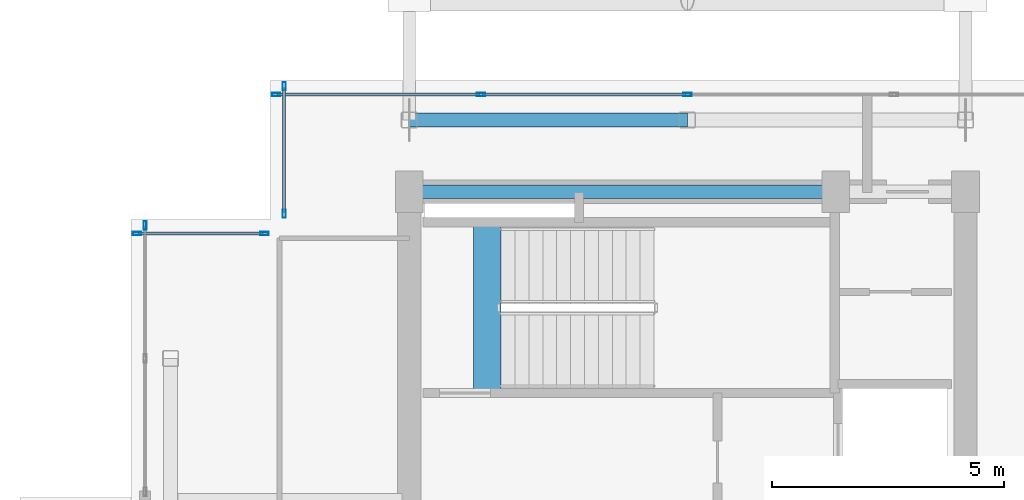
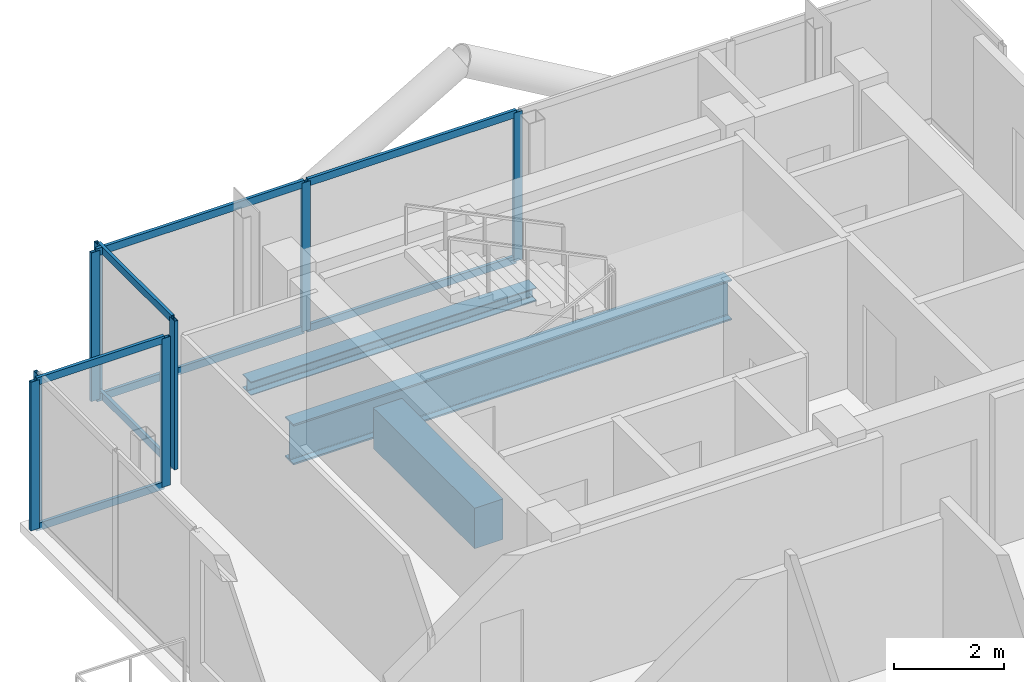
# One storey, part 8 of 18: 16 members, 3 beams, 4 elements without a shape of their own.
"""IFC4 building model written with IfcOpenShell, lengths in metres."""

from ifc_helpers import new_model, si_unit, direction, frame, origin, origin_2d, place, context, subcontext, project, spatial, rectangle, hollow_rectangle, i_section, extrude, material, layer, layer_set, material_profile, profile_set, type_object, element, aggregate, save


model = new_model("IFC4")

# Units and contexts
model_context = context("Model", 3, precision=1e-05, world=origin(), true_north=direction((0.0, 1.0)))
body_context = subcontext(model_context, "Body", "Model", "MODEL_VIEW")
ifc_project = project(units=[si_unit("LENGTHUNIT", "METRE"), si_unit("AREAUNIT", "SQUARE_METRE"), si_unit("VOLUMEUNIT", "CUBIC_METRE"), si_unit("PLANEANGLEUNIT", "RADIAN"), si_unit("MASSUNIT", "GRAM", prefix="KILO"), si_unit("THERMODYNAMICTEMPERATUREUNIT", "KELVIN"), si_unit("POWERUNIT", "WATT")], contexts=[model_context])

# Site, building, storey
site_placement = place(None, origin())
site = spatial("IfcSite", under=ifc_project, at=site_placement, CompositionType="ELEMENT")
building_placement = place(site_placement, origin())
building = spatial("IfcBuilding", under=site, at=building_placement, Name="Svarakhadi Broadcast Tower", CompositionType="ELEMENT")
storey_placement = place(building_placement, frame((0.0, 0.0, 250.199951171875)))
storey = spatial("IfcBuildingStorey", under=building, at=storey_placement, Name="L62", CompositionType="ELEMENT", Elevation=250.199951171875)

# Curtain wall, member
ifc_material_1 = material(Name="Anodised Bronze Aluminium AA 6063-T6", Category="aluminium")
ifc_layer = layer(ifc_material_1, 0.179931640625)
ifc_layer_set = layer_set([ifc_layer], Name="Anodised Bronze Aluminium AA 6063-T6")
curtain_wall_type = type_object("IfcCurtainWallType", Name="CW_Sys_05", PredefinedType="NOTDEFINED", material=ifc_layer_set)
curtain_wall_1_placement = place(storey_placement, origin())
curtain_wall_1 = element("IfcCurtainWall", 1, at=curtain_wall_1_placement, inside=storey, type_object=curtain_wall_type, Name="L62 West Curtain Wall 03", PredefinedType="NOTDEFINED")
ifc_material_profile_1 = material_profile(ifc_material_1, hollow_rectangle(XDim=0.070068359375, YDim=0.179931640625, WallThickness=0.005615234375, at=origin_2d()), Name="ALU MULLION 180x70x6")
ifc_profile_set_1 = profile_set([ifc_material_profile_1], Name="Anodised Bronze Aluminium AA 6063-T6")
member_type_1 = type_object("IfcMemberType", Name="CW_Sys_05_Mul", PredefinedType="MULLION", material=ifc_profile_set_1)
member_1_placement = place(storey_placement, frame((0.300048828125, 26.875, 0.0), z_axis=(0.0, 0.0, 1.0), x_axis=(-1.0, 0.0, 0.0)))
member_1 = element("IfcMember", 2, at=member_1_placement, type_object=member_type_1, Name="CW-05 mullion 3", PredefinedType="MULLION", context=body_context, shape_type="SweptSolid", body=[
    extrude(hollow_rectangle(XDim=0.070068359375, YDim=0.179931640625, WallThickness=0.005615234375, at=origin_2d()), origin(), (0.0, 0.0, 1.0), 3.300048828125),
])
aggregate(curtain_wall_1, [member_1])

# Curtain wall, members
curtain_wall_2_placement = place(storey_placement, origin())
curtain_wall_2 = element("IfcCurtainWall", 3, at=curtain_wall_2_placement, inside=storey, type_object=curtain_wall_type, Name="L62 Unitised Facade Curtain Wall 04", PredefinedType="NOTDEFINED")
member_2_placement = place(storey_placement, frame((0.125, 26.699951171875, 0.0), z_axis=(0.0, 0.0, 1.0), x_axis=(0.0, 1.0, 0.0)))
member_2 = element("IfcMember", 4, at=member_2_placement, type_object=member_type_1, Name="CW-05 mullion 1", PredefinedType="MULLION", context=body_context, shape_type="SweptSolid", body=[
    extrude(hollow_rectangle(XDim=0.070068359375, YDim=0.179931640625, WallThickness=0.005615234375, at=origin_2d()), origin(), (0.0, 0.0, 1.0), 3.300048828125),
])
member_3_placement = place(storey_placement, frame((2.875, 26.699951171875, 0.0), z_axis=(0.0, 0.0, 1.0), x_axis=(0.0, 1.0, 0.0)))
member_3 = element("IfcMember", 5, at=member_3_placement, type_object=member_type_1, Name="CW-05 mullion 2", PredefinedType="MULLION", context=body_context, shape_type="SweptSolid", body=[
    extrude(hollow_rectangle(XDim=0.070068359375, YDim=0.179931640625, WallThickness=0.005615234375, at=origin_2d()), origin(), (0.0, 0.0, 1.0), 3.300048828125),
])

curtain_wall_3_placement = place(storey_placement, origin())
curtain_wall_3 = element("IfcCurtainWall", 6, at=curtain_wall_3_placement, inside=storey, type_object=curtain_wall_type, Name="L62 Unitised Facade Curtain Wall 05", PredefinedType="NOTDEFINED")
member_4_placement = place(storey_placement, frame((3.300048828125, 27.125, 0.0), z_axis=(0.0, 0.0, 1.0), x_axis=(-1.0, 0.0, 0.0)))
member_4 = element("IfcMember", 7, at=member_4_placement, type_object=member_type_1, Name="CW-05 mullion 1", PredefinedType="MULLION", context=body_context, shape_type="SweptSolid", body=[
    extrude(hollow_rectangle(XDim=0.070068359375, YDim=0.179931640625, WallThickness=0.005615234375, at=origin_2d()), origin(), (0.0, 0.0, 1.0), 3.300048828125),
])
member_5_placement = place(storey_placement, frame((3.300048828125, 29.875, 0.0), z_axis=(0.0, 0.0, 1.0), x_axis=(-1.0, 0.0, 0.0)))
member_5 = element("IfcMember", 8, at=member_5_placement, type_object=member_type_1, Name="CW-05 mullion 2", PredefinedType="MULLION", context=body_context, shape_type="SweptSolid", body=[
    extrude(hollow_rectangle(XDim=0.070068359375, YDim=0.179931640625, WallThickness=0.005615234375, at=origin_2d()), origin(), (0.0, 0.0, 1.0), 3.300048828125),
])

curtain_wall_4_placement = place(storey_placement, origin())
curtain_wall_4 = element("IfcCurtainWall", 9, at=curtain_wall_4_placement, inside=storey, type_object=curtain_wall_type, Name="L62 Unitised Facade Curtain Wall 06", PredefinedType="NOTDEFINED")
member_6_placement = place(storey_placement, frame((3.125, 29.699951171875, 0.0), z_axis=(0.0, 0.0, 1.0), x_axis=(0.0, 1.0, 0.0)))
member_6 = element("IfcMember", 10, at=member_6_placement, type_object=member_type_1, Name="CW-05 mullion 1", PredefinedType="MULLION", context=body_context, shape_type="SweptSolid", body=[
    extrude(hollow_rectangle(XDim=0.070068359375, YDim=0.179931640625, WallThickness=0.005615234375, at=origin_2d()), origin(), (0.0, 0.0, 1.0), 3.300048828125),
])
member_7_placement = place(storey_placement, frame((7.544921875, 29.699951171875, 0.0), z_axis=(0.0, 0.0, 1.0), x_axis=(0.0, 1.0, 0.0)))
member_7 = element("IfcMember", 11, at=member_7_placement, type_object=member_type_1, Name="CW-05 mullion 2", PredefinedType="MULLION", context=body_context, shape_type="SweptSolid", body=[
    extrude(hollow_rectangle(XDim=0.070068359375, YDim=0.179931640625, WallThickness=0.005615234375, at=origin_2d()), origin(), (0.0, 0.0, 1.0), 3.300048828125),
])
member_8_placement = place(storey_placement, frame((12.0, 29.699951171875, 0.0), z_axis=(0.0, 0.0, 1.0), x_axis=(0.0, 1.0, 0.0)))
member_8 = element("IfcMember", 12, at=member_8_placement, type_object=member_type_1, Name="CW-05 mullion 3", PredefinedType="MULLION", context=body_context, shape_type="SweptSolid", body=[
    extrude(hollow_rectangle(XDim=0.070068359375, YDim=0.179931640625, WallThickness=0.005615234375, at=origin_2d()), origin(), (0.0, 0.0, 1.0), 3.300048828125),
])

# Member
ifc_material_profile_2 = material_profile(ifc_material_1, hollow_rectangle(XDim=0.06494140625, YDim=0.1650390625, WallThickness=0.0048828125, at=origin_2d()), Name="ALU TRANSOM 165x65x5")
ifc_profile_set_2 = profile_set([ifc_material_profile_2], Name="Anodised Bronze Aluminium AA 6063-T6")
member_type_2 = type_object("IfcMemberType", Name="CW_Sys_05_Trn", PredefinedType="USERDEFINED", material=ifc_profile_set_2)
member_9_placement = place(storey_placement, frame((0.159912109375, 26.699951171875, 0.032470703125), z_axis=(1.0, 0.0, 0.0), x_axis=(0.0, 1.0, 0.0)))
member_9 = element("IfcMember", 13, at=member_9_placement, type_object=member_type_2, Name="CW-05 transom 1.1", ObjectType="TRANSOM", PredefinedType="USERDEFINED", context=body_context, shape_type="SweptSolid", body=[
    extrude(hollow_rectangle(XDim=0.06494140625, YDim=0.1650390625, WallThickness=0.0048828125, at=origin_2d()), origin(), (0.0, 0.0, 1.0), 2.68017578125),
])

member_10_placement = place(storey_placement, frame((0.159912109375, 26.699951171875, 3.267578125), z_axis=(1.0, 0.0, 0.0), x_axis=(0.0, 1.0, 0.0)))
member_10 = element("IfcMember", 14, at=member_10_placement, type_object=member_type_2, Name="CW-05 transom 1.2", ObjectType="TRANSOM", PredefinedType="USERDEFINED", context=body_context, shape_type="SweptSolid", body=[
    extrude(hollow_rectangle(XDim=0.06494140625, YDim=0.1650390625, WallThickness=0.0048828125, at=origin_2d()), origin(), (0.0, 0.0, 1.0), 2.68017578125),
])

aggregate(curtain_wall_2, [member_2, member_3, member_9, member_10])

member_11_placement = place(storey_placement, frame((3.300048828125, 27.159912109375, 0.032470703125), z_axis=(0.0, 1.0, 0.0), x_axis=(-1.0, 0.0, 0.0)))
member_11 = element("IfcMember", 15, at=member_11_placement, type_object=member_type_2, Name="CW-05 transom 1.1", ObjectType="TRANSOM", PredefinedType="USERDEFINED", context=body_context, shape_type="SweptSolid", body=[
    extrude(hollow_rectangle(XDim=0.06494140625, YDim=0.1650390625, WallThickness=0.0048828125, at=origin_2d()), origin(), (0.0, 0.0, 1.0), 2.68017578125),
])

member_12_placement = place(storey_placement, frame((3.300048828125, 27.159912109375, 3.267578125), z_axis=(0.0, 1.0, 0.0), x_axis=(-1.0, 0.0, 0.0)))
member_12 = element("IfcMember", 16, at=member_12_placement, type_object=member_type_2, Name="CW-05 transom 1.2", ObjectType="TRANSOM", PredefinedType="USERDEFINED", context=body_context, shape_type="SweptSolid", body=[
    extrude(hollow_rectangle(XDim=0.06494140625, YDim=0.1650390625, WallThickness=0.0048828125, at=origin_2d()), origin(), (0.0, 0.0, 1.0), 2.68017578125),
])

aggregate(curtain_wall_3, [member_4, member_5, member_11, member_12])

member_13_placement = place(storey_placement, frame((3.159912109375, 29.699951171875, 0.032470703125), z_axis=(1.0, 0.0, 0.0), x_axis=(0.0, 1.0, 0.0)))
member_13 = element("IfcMember", 17, at=member_13_placement, type_object=member_type_2, Name="CW-05 transom 1.1", ObjectType="TRANSOM", PredefinedType="USERDEFINED", context=body_context, shape_type="SweptSolid", body=[
    extrude(hollow_rectangle(XDim=0.06494140625, YDim=0.1650390625, WallThickness=0.0048828125, at=origin_2d()), origin(), (0.0, 0.0, 1.0), 4.35009765625),
])

member_14_placement = place(storey_placement, frame((3.159912109375, 29.699951171875, 3.267578125), z_axis=(1.0, 0.0, 0.0), x_axis=(0.0, 1.0, 0.0)))
member_14 = element("IfcMember", 18, at=member_14_placement, type_object=member_type_2, Name="CW-05 transom 1.2", ObjectType="TRANSOM", PredefinedType="USERDEFINED", context=body_context, shape_type="SweptSolid", body=[
    extrude(hollow_rectangle(XDim=0.06494140625, YDim=0.1650390625, WallThickness=0.0048828125, at=origin_2d()), origin(), (0.0, 0.0, 1.0), 4.35009765625),
])

member_15_placement = place(storey_placement, frame((7.580078125, 29.699951171875, 0.032470703125), z_axis=(1.0, 0.0, 0.0), x_axis=(0.0, 1.0, 0.0)))
member_15 = element("IfcMember", 19, at=member_15_placement, type_object=member_type_2, Name="CW-05 transom 2.1", ObjectType="TRANSOM", PredefinedType="USERDEFINED", context=body_context, shape_type="SweptSolid", body=[
    extrude(hollow_rectangle(XDim=0.06494140625, YDim=0.1650390625, WallThickness=0.0048828125, at=origin_2d()), origin(), (0.0, 0.0, 1.0), 4.385009765625),
])

member_16_placement = place(storey_placement, frame((7.580078125, 29.699951171875, 3.267578125), z_axis=(1.0, 0.0, 0.0), x_axis=(0.0, 1.0, 0.0)))
member_16 = element("IfcMember", 20, at=member_16_placement, type_object=member_type_2, Name="CW-05 transom 2.2", ObjectType="TRANSOM", PredefinedType="USERDEFINED", context=body_context, shape_type="SweptSolid", body=[
    extrude(hollow_rectangle(XDim=0.06494140625, YDim=0.1650390625, WallThickness=0.0048828125, at=origin_2d()), origin(), (0.0, 0.0, 1.0), 4.385009765625),
])

aggregate(curtain_wall_4, [member_6, member_7, member_8, member_13, member_14, member_15, member_16])

# Beams
ifc_material_2 = material(Name="Concrete C50/60 (IS 456 M60)", Category="concrete")
ifc_material_profile_3 = material_profile(ifc_material_2, rectangle(XDim=0.60009765625, YDim=0.89990234375, at=origin_2d()), Name="RC 600x900")
ifc_profile_set_3 = profile_set([ifc_material_profile_3], Name="Concrete C50/60 (IS 456 M60)")
beam_type_1 = type_object("IfcBeamType", Name="Coupling_RC600", PredefinedType="USERDEFINED", material=ifc_profile_set_3)
beam_1_placement = place(storey_placement, frame((7.679931640625, 23.260009765625, -0.449951171875), z_axis=(0.0, 1.0, 0.0), x_axis=(-1.0, 0.0, 0.0)))
element("IfcBeam", 21, at=beam_1_placement, inside=storey, type_object=beam_type_1, Name="L62 Stair ST-01 Landing Throat Trimmer Beam CB-01", ObjectType="GIRDER", PredefinedType="USERDEFINED", context=body_context, shape_type="SweptSolid", body=[
    extrude(rectangle(XDim=0.60009765625, YDim=0.89990234375, at=origin_2d()), origin(), (0.0, 0.0, 1.0), 3.679931640625),
])
ifc_material_3 = material(Name="Steel S355J2 (IS 2062 E350C)", Category="steel")
ifc_material_profile_4 = material_profile(ifc_material_3, i_section(OverallWidth=0.300048828125, OverallDepth=0.300048828125, WebThickness=0.010986328125, FlangeThickness=0.01904296875, FilletRadius=0.027099609375, at=origin_2d()), Name="WPB 300x300x117")
ifc_profile_set_4 = profile_set([ifc_material_profile_4], Name="Steel S355J2 (IS 2062 E350C)")
beam_type_2 = type_object("IfcBeamType", Name="Girder_WPB300", PredefinedType="USERDEFINED", material=ifc_profile_set_4)
beam_2_placement = place(storey_placement, frame((6.0, 29.14990234375, -0.349853515625), z_axis=(1.0, 0.0, 0.0), x_axis=(0.0, 1.0, 0.0)))
element("IfcBeam", 22, at=beam_2_placement, inside=storey, type_object=beam_type_2, Name="L62 Primary E-W Girder G024", ObjectType="GIRDER", PredefinedType="USERDEFINED", context=body_context, shape_type="SweptSolid", body=[
    extrude(i_section(OverallWidth=0.300048828125, OverallDepth=0.300048828125, WebThickness=0.010986328125, FlangeThickness=0.01904296875, FilletRadius=0.027099609375, at=origin_2d()), origin(), (0.0, 0.0, 1.0), 6.0),
])
ifc_material_4 = material(Name="Steel S460ML (IS 2062 E450BR)", Category="steel")
ifc_material_profile_5 = material_profile(ifc_material_4, i_section(OverallWidth=0.300048828125, OverallDepth=0.89990234375, WebThickness=0.0185546875, FlangeThickness=0.034912109375, FilletRadius=0.030029296875, at=origin_2d()), Name="WPB 900x300x291")
ifc_profile_set_5 = profile_set([ifc_material_profile_5], Name="Steel S460ML (IS 2062 E450BR)")
beam_type_3 = type_object("IfcBeamType", Name="Girder_WPB900", PredefinedType="USERDEFINED", material=ifc_profile_set_5)
beam_3_placement = place(storey_placement, frame((6.0, 27.60009765625, -0.64990234375), z_axis=(1.0, 0.0, 0.0), x_axis=(0.0, 1.0, 0.0)))
element("IfcBeam", 23, at=beam_3_placement, inside=storey, type_object=beam_type_3, Name="L62 Primary E-W Girder G022", ObjectType="GIRDER", PredefinedType="USERDEFINED", context=body_context, shape_type="SweptSolid", body=[
    extrude(i_section(OverallWidth=0.300048828125, OverallDepth=0.89990234375, WebThickness=0.0185546875, FlangeThickness=0.034912109375, FilletRadius=0.030029296875, at=origin_2d()), origin(), (0.0, 0.0, 1.0), 9.199951171875),
])

save(model, "model.ifc")
